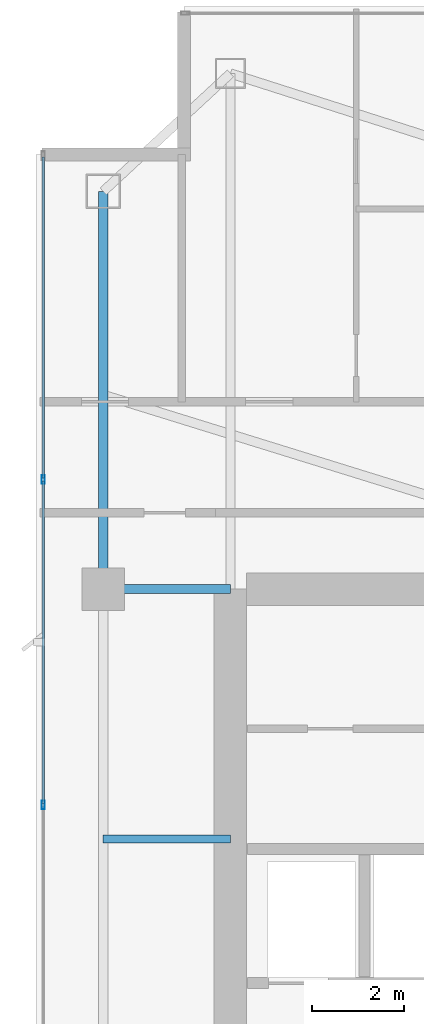
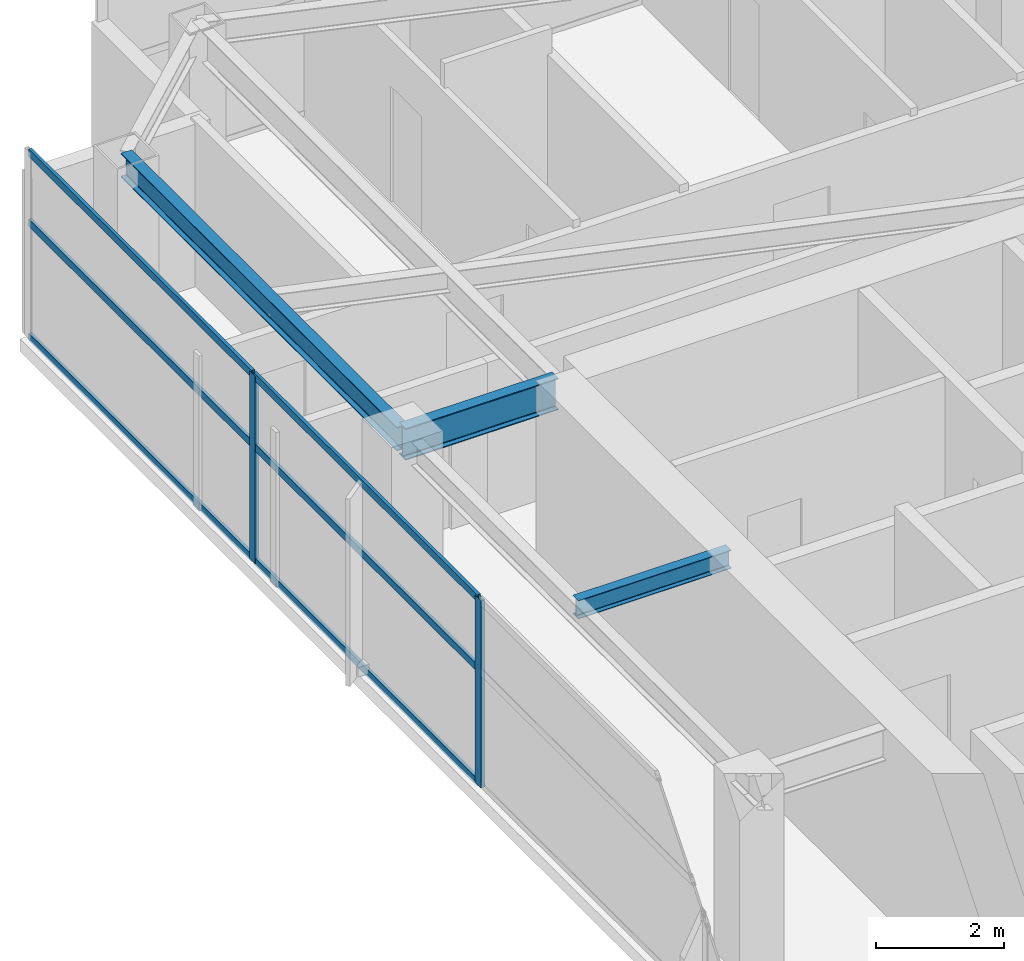
# One storey, part 17 of 30: 8 members, 3 beams, 1 element without a shape of its own.
"""IFC4 building model written with IfcOpenShell, lengths in metres."""

from ifc_helpers import new_model, si_unit, direction, frame, origin, origin_2d, place, context, subcontext, project, spatial, hollow_rectangle, i_section, extrude, material, layer, layer_set, material_profile, profile_set, type_object, element, aggregate, save


model = new_model("IFC4")

# Units and contexts
model_context = context("Model", 3, precision=1e-05, world=origin(), true_north=direction((0.0, 1.0)))
body_context = subcontext(model_context, "Body", "Model", "MODEL_VIEW")
ifc_project = project(units=[si_unit("LENGTHUNIT", "METRE"), si_unit("AREAUNIT", "SQUARE_METRE"), si_unit("VOLUMEUNIT", "CUBIC_METRE"), si_unit("PLANEANGLEUNIT", "RADIAN"), si_unit("MASSUNIT", "GRAM", prefix="KILO")], contexts=[model_context])

# Site, building, storey
site_placement = place(None, origin())
site = spatial("IfcSite", under=ifc_project, at=site_placement, CompositionType="ELEMENT")
building_placement = place(site_placement, origin())
building = spatial("IfcBuilding", under=site, at=building_placement, Name="Calvorn Quay Hotel", CompositionType="ELEMENT")
storey_placement = place(building_placement, frame((0.0, 0.0, 207.199951171875)))
storey = spatial("IfcBuildingStorey", under=building, at=storey_placement, Name="L51", CompositionType="ELEMENT", Elevation=207.199951171875)

# Beams
ifc_material_1 = material(Name="Steel Q355B", Category="steel")
ifc_material_profile_1 = material_profile(ifc_material_1, i_section(OverallWidth=0.199951171875, OverallDepth=0.60009765625, WebThickness=0.010986328125, FlangeThickness=0.01708984375, FilletRadius=0.01806640625, at=origin_2d()), Name="HN600x200x11x17")
ifc_profile_set_1 = profile_set([ifc_material_profile_1], Name="Steel Q355B")
beam_type_1 = type_object("IfcBeamType", Name="BM-GIRD-TYP", PredefinedType="BEAM", material=ifc_profile_set_1)
beam_1_placement = place(storey_placement, frame((1.449951171875, 38.39990234375, 3.239990234375), z_axis=(1.0, 0.0, 0.0), x_axis=(0.0, 1.0, 0.0)))
element("IfcBeam", 1, at=beam_1_placement, inside=storey, type_object=beam_type_1, Name="Beam BG-L51-W3", PredefinedType="BEAM", context=body_context, shape_type="SweptSolid", body=[
    extrude(i_section(OverallWidth=0.199951171875, OverallDepth=0.60009765625, WebThickness=0.010986328125, FlangeThickness=0.01708984375, FilletRadius=0.01806640625, at=origin_2d()), origin(), (0.0, 0.0, 1.0), 2.75),
])
ifc_material_2 = material(Name="Steel Q355B", Category="steel")
ifc_material_profile_2 = material_profile(ifc_material_2, i_section(OverallWidth=0.175048828125, OverallDepth=0.35009765625, WebThickness=0.007080078125, FlangeThickness=0.010986328125, FilletRadius=0.013916015625, at=origin_2d()), Name="HN350x175x7x11")
ifc_profile_set_2 = profile_set([ifc_material_profile_2], Name="Steel Q355B")
beam_type_2 = type_object("IfcBeamType", Name="BM-JOIST-SEC", PredefinedType="JOIST", material=ifc_profile_set_2)
beam_2_placement = place(storey_placement, frame((1.449951171875, 33.0, 3.364990234375), z_axis=(1.0, 0.0, 0.0), x_axis=(0.0, 1.0, 0.0)))
element("IfcBeam", 2, at=beam_2_placement, inside=storey, type_object=beam_type_2, Name="Beam BJ-L51-W4", PredefinedType="JOIST", context=body_context, shape_type="SweptSolid", body=[
    extrude(i_section(OverallWidth=0.175048828125, OverallDepth=0.35009765625, WebThickness=0.007080078125, FlangeThickness=0.010986328125, FilletRadius=0.013916015625, at=origin_2d()), origin(), (0.0, 0.0, 1.0), 2.75),
])
ifc_material_3 = material(Name="Steel Q355B", Category="steel")
ifc_material_profile_3 = material_profile(ifc_material_3, i_section(OverallWidth=0.199951171875, OverallDepth=0.449951171875, WebThickness=0.009033203125, FlangeThickness=0.013916015625, FilletRadius=0.01611328125, at=origin_2d()), Name="HN450x200x9x14")
ifc_profile_set_3 = profile_set([ifc_material_profile_3], Name="Steel Q355B")
beam_type_3 = type_object("IfcBeamType", Name="BM-SPANDREL-Z3", PredefinedType="SPANDREL", material=ifc_profile_set_3)
beam_3_placement = place(storey_placement, frame((1.449951171875, 38.39990234375, 3.31494140625), z_axis=(0.0, 1.0, 0.0), x_axis=(-1.0, 0.0, 0.0)))
element("IfcBeam", 3, at=beam_3_placement, inside=storey, type_object=beam_type_3, Name="Beam BSP-L51-W4", PredefinedType="SPANDREL", context=body_context, shape_type="SweptSolid", body=[
    extrude(i_section(OverallWidth=0.199951171875, OverallDepth=0.449951171875, WebThickness=0.009033203125, FlangeThickness=0.013916015625, FilletRadius=0.01611328125, at=origin_2d()), origin(), (0.0, 0.0, 1.0), 8.60009765625),
])

# Curtain wall, members
ifc_material_4 = material(Name="Champagne Bronze Anodised Aluminium and Low-E Glass", Category="aluminium")
ifc_layer = layer(ifc_material_4, 0.219970703125)
ifc_layer_set = layer_set([ifc_layer], Name="CW-SYS-Z3")
curtain_wall_type = type_object("IfcCurtainWallType", Name="CW-SYS-Z3", PredefinedType="NOTDEFINED", material=ifc_layer_set)
curtain_wall_placement = place(storey_placement, origin())
curtain_wall = element("IfcCurtainWall", 4, at=curtain_wall_placement, inside=storey, type_object=curtain_wall_type, Name="Tower West Curtain Wall (L51)", PredefinedType="NOTDEFINED")
ifc_material_5 = material(Name="Champagne Bronze Anodised Aluminium 6063-T6", Category="aluminium")
ifc_material_profile_4 = material_profile(ifc_material_5, hollow_rectangle(XDim=0.068115234375, YDim=0.18505859375, WallThickness=0.00390625, at=origin_2d()), Name="ALU-M185x68x4")
ifc_profile_set_4 = profile_set([ifc_material_profile_4], Name="Champagne Bronze Anodised Aluminium 6063-T6")
member_type_1 = type_object("IfcMemberType", Name="CW-SYS-Z3-MUL", PredefinedType="MULLION", material=ifc_profile_set_4)
member_1_placement = place(storey_placement, frame((0.14990234375, 33.7333984375, 0.0), z_axis=(0.0, 0.0, 1.0), x_axis=(-1.0, 0.0, 0.0)))
member_1 = element("IfcMember", 5, at=member_1_placement, type_object=member_type_1, Name="CW-L51-W mullion 5", PredefinedType="MULLION", context=body_context, shape_type="SweptSolid", body=[
    extrude(hollow_rectangle(XDim=0.068115234375, YDim=0.18505859375, WallThickness=0.00390625, at=origin_2d()), origin(), (0.0, 0.0, 1.0), 3.56005859375),
])
member_2_placement = place(storey_placement, frame((0.14990234375, 40.7666015625, 0.0), z_axis=(0.0, 0.0, 1.0), x_axis=(-1.0, 0.0, 0.0)))
member_2 = element("IfcMember", 6, at=member_2_placement, type_object=member_type_1, Name="CW-L51-W mullion 6", PredefinedType="MULLION", context=body_context, shape_type="SweptSolid", body=[
    extrude(hollow_rectangle(XDim=0.068115234375, YDim=0.18505859375, WallThickness=0.00390625, at=origin_2d()), origin(), (0.0, 0.0, 1.0), 3.56005859375),
])
ifc_material_6 = material(Name="Champagne Bronze Anodised Aluminium 6063-T6", Category="aluminium")
ifc_material_profile_5 = material_profile(ifc_material_6, hollow_rectangle(XDim=0.05810546875, YDim=0.139892578125, WallThickness=0.003173828125, at=origin_2d()), Name="ALU-T140x58x3.2")
ifc_profile_set_5 = profile_set([ifc_material_profile_5], Name="Champagne Bronze Anodised Aluminium 6063-T6")
member_type_2 = type_object("IfcMemberType", Name="CW-SYS-Z3-TRN", PredefinedType="USERDEFINED", material=ifc_profile_set_5)
member_3_placement = place(storey_placement, frame((0.14990234375, 33.763427734375, 0.030029296875), z_axis=(0.0, 1.0, 0.0), x_axis=(-1.0, 0.0, 0.0)))
member_3 = element("IfcMember", 7, at=member_3_placement, type_object=member_type_2, Name="CW-L51-W transom 5.1", ObjectType="TRANSOM", PredefinedType="USERDEFINED", context=body_context, shape_type="SweptSolid", body=[
    extrude(hollow_rectangle(XDim=0.05810546875, YDim=0.139892578125, WallThickness=0.003173828125, at=origin_2d()), origin(), (0.0, 0.0, 1.0), 6.97314453125),
])
member_4_placement = place(storey_placement, frame((0.14990234375, 33.763427734375, 2.199951171875), z_axis=(0.0, 1.0, 0.0), x_axis=(-1.0, 0.0, 0.0)))
member_4 = element("IfcMember", 8, at=member_4_placement, type_object=member_type_2, Name="CW-L51-W transom 5.2", ObjectType="TRANSOM", PredefinedType="USERDEFINED", context=body_context, shape_type="SweptSolid", body=[
    extrude(hollow_rectangle(XDim=0.05810546875, YDim=0.139892578125, WallThickness=0.003173828125, at=origin_2d()), origin(), (0.0, 0.0, 1.0), 6.97314453125),
])
member_5_placement = place(storey_placement, frame((0.14990234375, 33.763427734375, 3.530029296875), z_axis=(0.0, 1.0, 0.0), x_axis=(-1.0, 0.0, 0.0)))
member_5 = element("IfcMember", 9, at=member_5_placement, type_object=member_type_2, Name="CW-L51-W transom 5.3", ObjectType="TRANSOM", PredefinedType="USERDEFINED", context=body_context, shape_type="SweptSolid", body=[
    extrude(hollow_rectangle(XDim=0.05810546875, YDim=0.139892578125, WallThickness=0.003173828125, at=origin_2d()), origin(), (0.0, 0.0, 1.0), 6.97314453125),
])
member_6_placement = place(storey_placement, frame((0.14990234375, 40.796630859375, 0.030029296875), z_axis=(0.0, 1.0, 0.0), x_axis=(-1.0, 0.0, 0.0)))
member_6 = element("IfcMember", 10, at=member_6_placement, type_object=member_type_2, Name="CW-L51-W transom 6.1", ObjectType="TRANSOM", PredefinedType="USERDEFINED", context=body_context, shape_type="SweptSolid", body=[
    extrude(hollow_rectangle(XDim=0.05810546875, YDim=0.139892578125, WallThickness=0.003173828125, at=origin_2d()), origin(), (0.0, 0.0, 1.0), 6.943359375),
])
member_7_placement = place(storey_placement, frame((0.14990234375, 40.796630859375, 2.199951171875), z_axis=(0.0, 1.0, 0.0), x_axis=(-1.0, 0.0, 0.0)))
member_7 = element("IfcMember", 11, at=member_7_placement, type_object=member_type_2, Name="CW-L51-W transom 6.2", ObjectType="TRANSOM", PredefinedType="USERDEFINED", context=body_context, shape_type="SweptSolid", body=[
    extrude(hollow_rectangle(XDim=0.05810546875, YDim=0.139892578125, WallThickness=0.003173828125, at=origin_2d()), origin(), (0.0, 0.0, 1.0), 6.943359375),
])
member_8_placement = place(storey_placement, frame((0.14990234375, 40.796630859375, 3.530029296875), z_axis=(0.0, 1.0, 0.0), x_axis=(-1.0, 0.0, 0.0)))
member_8 = element("IfcMember", 12, at=member_8_placement, type_object=member_type_2, Name="CW-L51-W transom 6.3", ObjectType="TRANSOM", PredefinedType="USERDEFINED", context=body_context, shape_type="SweptSolid", body=[
    extrude(hollow_rectangle(XDim=0.05810546875, YDim=0.139892578125, WallThickness=0.003173828125, at=origin_2d()), origin(), (0.0, 0.0, 1.0), 6.943359375),
])
aggregate(curtain_wall, [member_1, member_2, member_3, member_4, member_5, member_6, member_7, member_8])

save(model, "model.ifc")
